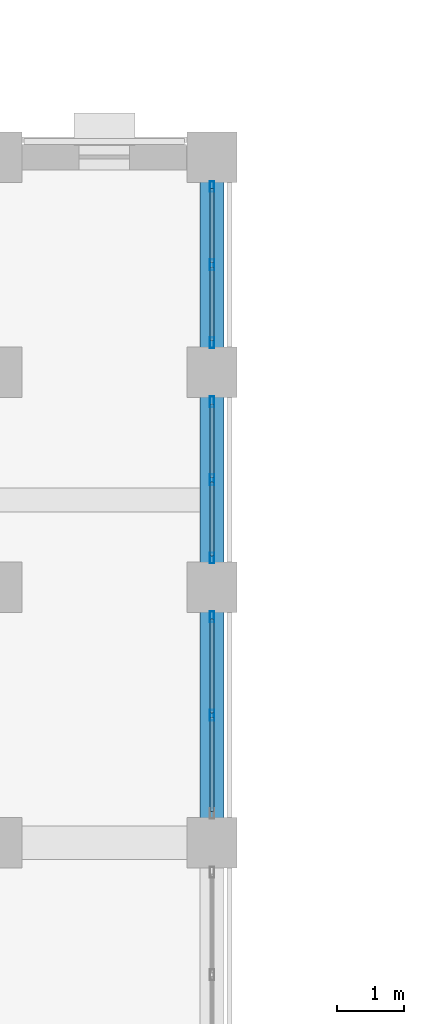
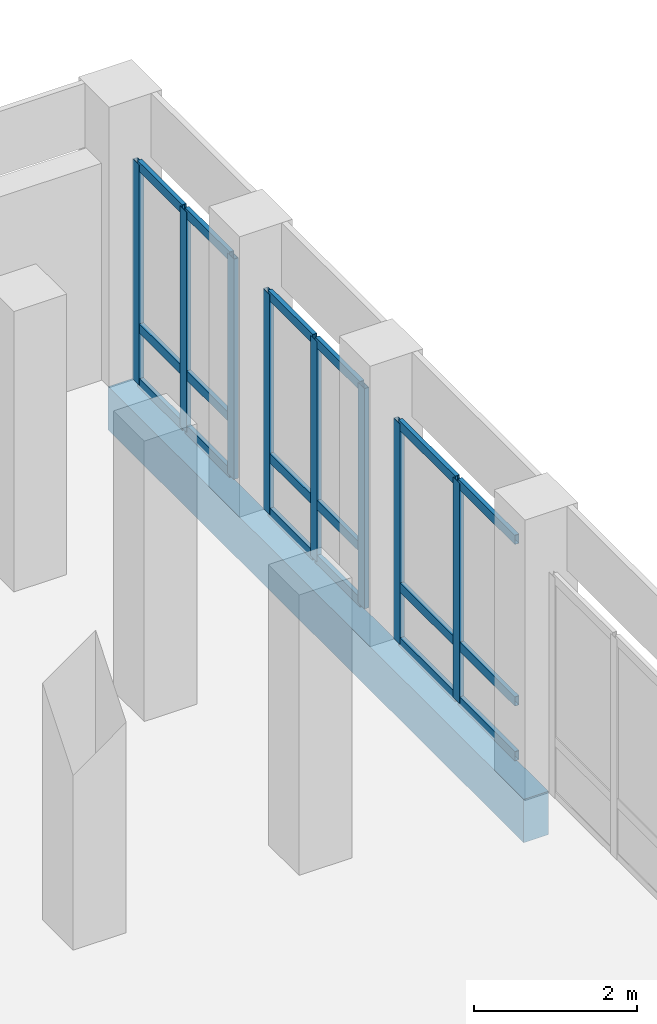
# One storey, part 26 of 170: 26 members, 1 beam, 3 elements without a shape of their own.
"""IFC4 building model written with IfcOpenShell, lengths in metres."""

from ifc_helpers import new_model, si_unit, direction, frame, origin, origin_2d, place, context, subcontext, project, spatial, rectangle, hollow_rectangle, extrude, material, material_profile, profile_set, type_object, element, aggregate, save


model = new_model("IFC4")

# Units and contexts
model_context = context("Model", 3, precision=1e-05, world=origin(), true_north=direction((0.0, 1.0)))
body_context = subcontext(model_context, "Body", "Model", "MODEL_VIEW")
ifc_project = project(units=[si_unit("LENGTHUNIT", "METRE"), si_unit("AREAUNIT", "SQUARE_METRE"), si_unit("VOLUMEUNIT", "CUBIC_METRE"), si_unit("PLANEANGLEUNIT", "RADIAN"), si_unit("MASSUNIT", "GRAM", prefix="KILO")], contexts=[model_context])

# Site, building, storey
site_placement = place(None, origin())
site = spatial("IfcSite", under=ifc_project, at=site_placement, CompositionType="ELEMENT")
building_placement = place(site_placement, origin())
building = spatial("IfcBuilding", under=site, at=building_placement, Name="Vondelvale Polytechnic", CompositionType="ELEMENT")
storey_placement = place(building_placement, frame((0.0, 0.0, 5.39990234375)))
storey = spatial("IfcBuildingStorey", under=building, at=storey_placement, Name="L01", CompositionType="ELEMENT", Elevation=5.39990234375)

# Curtain wall, members
ifc_material_1 = material(Name="Anodised extruded aluminium 6063-T6", Category="aluminium")
curtain_wall_type = type_object("IfcCurtainWallType", Name="CW-STUDIO-NORTH", PredefinedType="NOTDEFINED", material=ifc_material_1)
curtain_wall_1_placement = place(storey_placement, origin())
curtain_wall_1 = element("IfcCurtainWall", 1, at=curtain_wall_1_placement, inside=storey, type_object=curtain_wall_type, Name="L01 architectural curtain wall CW-01-010", PredefinedType="NOTDEFINED")
ifc_material_profile_1 = material_profile(ifc_material_1, hollow_rectangle(XDim=0.06494140625, YDim=0.159912109375, WallThickness=0.0048828125, at=origin_2d()), Name="CW-MUL-160x65")
ifc_profile_set_1 = profile_set([ifc_material_profile_1], Name="Anodised extruded aluminium 6063-T6")
member_type_1 = type_object("IfcMemberType", Name="CW-MUL-65x160", PredefinedType="MULLION", material=ifc_profile_set_1)
member_1_placement = place(storey_placement, frame((48.0, 32.5, 0.0), z_axis=(0.0, 0.0, 1.0), x_axis=(-1.0, 0.0, 0.0)))
member_1 = element("IfcMember", 2, at=member_1_placement, type_object=member_type_1, Name="CW-01-010 mullion 2", PredefinedType="MULLION", context=body_context, shape_type="SweptSolid", body=[
    extrude(hollow_rectangle(XDim=0.06494140625, YDim=0.159912109375, WallThickness=0.0048828125, at=origin_2d()), origin(), (0.0, 0.0, 1.0), 3.300048828125),
])
member_2_placement = place(storey_placement, frame((48.0, 33.96240234375, 0.0), z_axis=(0.0, 0.0, 1.0), x_axis=(-1.0, 0.0, 0.0)))
member_2 = element("IfcMember", 3, at=member_2_placement, type_object=member_type_1, Name="CW-01-010 mullion 3", PredefinedType="MULLION", context=body_context, shape_type="SweptSolid", body=[
    extrude(hollow_rectangle(XDim=0.06494140625, YDim=0.159912109375, WallThickness=0.0048828125, at=origin_2d()), origin(), (0.0, 0.0, 1.0), 3.300048828125),
])

curtain_wall_2_placement = place(storey_placement, origin())
curtain_wall_2 = element("IfcCurtainWall", 4, at=curtain_wall_2_placement, inside=storey, type_object=curtain_wall_type, Name="L01 architectural curtain wall CW-01-011", PredefinedType="NOTDEFINED")
member_3_placement = place(storey_placement, frame((48.0, 34.83740234375, 0.0), z_axis=(0.0, 0.0, 1.0), x_axis=(-1.0, 0.0, 0.0)))
member_3 = element("IfcMember", 5, at=member_3_placement, type_object=member_type_1, Name="CW-01-011 mullion 1", PredefinedType="MULLION", context=body_context, shape_type="SweptSolid", body=[
    extrude(hollow_rectangle(XDim=0.06494140625, YDim=0.159912109375, WallThickness=0.0048828125, at=origin_2d()), origin(), (0.0, 0.0, 1.0), 3.300048828125),
])
member_4_placement = place(storey_placement, frame((48.0, 36.0, 0.0), z_axis=(0.0, 0.0, 1.0), x_axis=(-1.0, 0.0, 0.0)))
member_4 = element("IfcMember", 6, at=member_4_placement, type_object=member_type_1, Name="CW-01-011 mullion 2", PredefinedType="MULLION", context=body_context, shape_type="SweptSolid", body=[
    extrude(hollow_rectangle(XDim=0.06494140625, YDim=0.159912109375, WallThickness=0.0048828125, at=origin_2d()), origin(), (0.0, 0.0, 1.0), 3.300048828125),
])
member_5_placement = place(storey_placement, frame((48.0, 37.16259765625, 0.0), z_axis=(0.0, 0.0, 1.0), x_axis=(-1.0, 0.0, 0.0)))
member_5 = element("IfcMember", 7, at=member_5_placement, type_object=member_type_1, Name="CW-01-011 mullion 3", PredefinedType="MULLION", context=body_context, shape_type="SweptSolid", body=[
    extrude(hollow_rectangle(XDim=0.06494140625, YDim=0.159912109375, WallThickness=0.0048828125, at=origin_2d()), origin(), (0.0, 0.0, 1.0), 3.300048828125),
])

curtain_wall_3_placement = place(storey_placement, origin())
curtain_wall_3 = element("IfcCurtainWall", 8, at=curtain_wall_3_placement, inside=storey, type_object=curtain_wall_type, Name="L01 architectural curtain wall CW-01-012", PredefinedType="NOTDEFINED")
member_6_placement = place(storey_placement, frame((48.0, 38.03759765625, 0.0), z_axis=(0.0, 0.0, 1.0), x_axis=(-1.0, 0.0, 0.0)))
member_6 = element("IfcMember", 9, at=member_6_placement, type_object=member_type_1, Name="CW-01-012 mullion 1", PredefinedType="MULLION", context=body_context, shape_type="SweptSolid", body=[
    extrude(hollow_rectangle(XDim=0.06494140625, YDim=0.159912109375, WallThickness=0.0048828125, at=origin_2d()), origin(), (0.0, 0.0, 1.0), 3.300048828125),
])
member_7_placement = place(storey_placement, frame((48.0, 39.199951171875, 0.0), z_axis=(0.0, 0.0, 1.0), x_axis=(-1.0, 0.0, 0.0)))
member_7 = element("IfcMember", 10, at=member_7_placement, type_object=member_type_1, Name="CW-01-012 mullion 2", PredefinedType="MULLION", context=body_context, shape_type="SweptSolid", body=[
    extrude(hollow_rectangle(XDim=0.06494140625, YDim=0.159912109375, WallThickness=0.0048828125, at=origin_2d()), origin(), (0.0, 0.0, 1.0), 3.300048828125),
])
member_8_placement = place(storey_placement, frame((48.0, 40.362548828125, 0.0), z_axis=(0.0, 0.0, 1.0), x_axis=(-1.0, 0.0, 0.0)))
member_8 = element("IfcMember", 11, at=member_8_placement, type_object=member_type_1, Name="CW-01-012 mullion 3", PredefinedType="MULLION", context=body_context, shape_type="SweptSolid", body=[
    extrude(hollow_rectangle(XDim=0.06494140625, YDim=0.159912109375, WallThickness=0.0048828125, at=origin_2d()), origin(), (0.0, 0.0, 1.0), 3.300048828125),
])

# Member
ifc_material_profile_2 = material_profile(ifc_material_1, hollow_rectangle(XDim=0.06005859375, YDim=0.139892578125, WallThickness=0.00341796875, at=origin_2d()), Name="CW-TRN-140x60")
ifc_profile_set_2 = profile_set([ifc_material_profile_2], Name="Anodised extruded aluminium 6063-T6")
member_type_2 = type_object("IfcMemberType", Name="CW-TRN-60x140", PredefinedType="USERDEFINED", material=ifc_profile_set_2)
member_9_placement = place(storey_placement, frame((48.0, 31.070068359375, 0.030029296875), z_axis=(0.0, 1.0, 0.0), x_axis=(-1.0, 0.0, 0.0)))
member_9 = element("IfcMember", 12, at=member_9_placement, type_object=member_type_2, Name="CW-01-010 transom 1.1", ObjectType="TRANSOM", PredefinedType="USERDEFINED", context=body_context, shape_type="SweptSolid", body=[
    extrude(hollow_rectangle(XDim=0.06005859375, YDim=0.139892578125, WallThickness=0.00341796875, at=origin_2d()), origin(), (0.0, 0.0, 1.0), 1.3974609375),
])

member_10_placement = place(storey_placement, frame((48.0, 31.070068359375, 0.85009765625), z_axis=(0.0, 1.0, 0.0), x_axis=(-1.0, 0.0, 0.0)))
member_10 = element("IfcMember", 13, at=member_10_placement, type_object=member_type_2, Name="CW-01-010 transom 1.2", ObjectType="TRANSOM", PredefinedType="USERDEFINED", context=body_context, shape_type="SweptSolid", body=[
    extrude(hollow_rectangle(XDim=0.06005859375, YDim=0.139892578125, WallThickness=0.00341796875, at=origin_2d()), origin(), (0.0, 0.0, 1.0), 1.3974609375),
])

member_11_placement = place(storey_placement, frame((48.0, 31.070068359375, 3.27001953125), z_axis=(0.0, 1.0, 0.0), x_axis=(-1.0, 0.0, 0.0)))
member_11 = element("IfcMember", 14, at=member_11_placement, type_object=member_type_2, Name="CW-01-010 transom 1.3", ObjectType="TRANSOM", PredefinedType="USERDEFINED", context=body_context, shape_type="SweptSolid", body=[
    extrude(hollow_rectangle(XDim=0.06005859375, YDim=0.139892578125, WallThickness=0.00341796875, at=origin_2d()), origin(), (0.0, 0.0, 1.0), 1.3974609375),
])

member_12_placement = place(storey_placement, frame((48.0, 32.532470703125, 0.030029296875), z_axis=(0.0, 1.0, 0.0), x_axis=(-1.0, 0.0, 0.0)))
member_12 = element("IfcMember", 15, at=member_12_placement, type_object=member_type_2, Name="CW-01-010 transom 2.1", ObjectType="TRANSOM", PredefinedType="USERDEFINED", context=body_context, shape_type="SweptSolid", body=[
    extrude(hollow_rectangle(XDim=0.06005859375, YDim=0.139892578125, WallThickness=0.00341796875, at=origin_2d()), origin(), (0.0, 0.0, 1.0), 1.3974609375),
])

member_13_placement = place(storey_placement, frame((48.0, 32.532470703125, 0.85009765625), z_axis=(0.0, 1.0, 0.0), x_axis=(-1.0, 0.0, 0.0)))
member_13 = element("IfcMember", 16, at=member_13_placement, type_object=member_type_2, Name="CW-01-010 transom 2.2", ObjectType="TRANSOM", PredefinedType="USERDEFINED", context=body_context, shape_type="SweptSolid", body=[
    extrude(hollow_rectangle(XDim=0.06005859375, YDim=0.139892578125, WallThickness=0.00341796875, at=origin_2d()), origin(), (0.0, 0.0, 1.0), 1.3974609375),
])

member_14_placement = place(storey_placement, frame((48.0, 32.532470703125, 3.27001953125), z_axis=(0.0, 1.0, 0.0), x_axis=(-1.0, 0.0, 0.0)))
member_14 = element("IfcMember", 17, at=member_14_placement, type_object=member_type_2, Name="CW-01-010 transom 2.3", ObjectType="TRANSOM", PredefinedType="USERDEFINED", context=body_context, shape_type="SweptSolid", body=[
    extrude(hollow_rectangle(XDim=0.06005859375, YDim=0.139892578125, WallThickness=0.00341796875, at=origin_2d()), origin(), (0.0, 0.0, 1.0), 1.3974609375),
])

aggregate(curtain_wall_1, [member_1, member_2, member_9, member_10, member_11, member_12, member_13, member_14])

member_15_placement = place(storey_placement, frame((48.0, 34.8701171875, 0.030029296875), z_axis=(0.0, 1.0, 0.0), x_axis=(-1.0, 0.0, 0.0)))
member_15 = element("IfcMember", 18, at=member_15_placement, type_object=member_type_2, Name="CW-01-011 transom 1.1", ObjectType="TRANSOM", PredefinedType="USERDEFINED", context=body_context, shape_type="SweptSolid", body=[
    extrude(hollow_rectangle(XDim=0.06005859375, YDim=0.139892578125, WallThickness=0.00341796875, at=origin_2d()), origin(), (0.0, 0.0, 1.0), 1.097412109375),
])

member_16_placement = place(storey_placement, frame((48.0, 34.8701171875, 0.85009765625), z_axis=(0.0, 1.0, 0.0), x_axis=(-1.0, 0.0, 0.0)))
member_16 = element("IfcMember", 19, at=member_16_placement, type_object=member_type_2, Name="CW-01-011 transom 1.2", ObjectType="TRANSOM", PredefinedType="USERDEFINED", context=body_context, shape_type="SweptSolid", body=[
    extrude(hollow_rectangle(XDim=0.06005859375, YDim=0.139892578125, WallThickness=0.00341796875, at=origin_2d()), origin(), (0.0, 0.0, 1.0), 1.097412109375),
])

member_17_placement = place(storey_placement, frame((48.0, 34.8701171875, 3.27001953125), z_axis=(0.0, 1.0, 0.0), x_axis=(-1.0, 0.0, 0.0)))
member_17 = element("IfcMember", 20, at=member_17_placement, type_object=member_type_2, Name="CW-01-011 transom 1.3", ObjectType="TRANSOM", PredefinedType="USERDEFINED", context=body_context, shape_type="SweptSolid", body=[
    extrude(hollow_rectangle(XDim=0.06005859375, YDim=0.139892578125, WallThickness=0.00341796875, at=origin_2d()), origin(), (0.0, 0.0, 1.0), 1.097412109375),
])

member_18_placement = place(storey_placement, frame((48.0, 36.032470703125, 0.030029296875), z_axis=(0.0, 1.0, 0.0), x_axis=(-1.0, 0.0, 0.0)))
member_18 = element("IfcMember", 21, at=member_18_placement, type_object=member_type_2, Name="CW-01-011 transom 2.1", ObjectType="TRANSOM", PredefinedType="USERDEFINED", context=body_context, shape_type="SweptSolid", body=[
    extrude(hollow_rectangle(XDim=0.06005859375, YDim=0.139892578125, WallThickness=0.00341796875, at=origin_2d()), origin(), (0.0, 0.0, 1.0), 1.097412109375),
])

member_19_placement = place(storey_placement, frame((48.0, 36.032470703125, 0.85009765625), z_axis=(0.0, 1.0, 0.0), x_axis=(-1.0, 0.0, 0.0)))
member_19 = element("IfcMember", 22, at=member_19_placement, type_object=member_type_2, Name="CW-01-011 transom 2.2", ObjectType="TRANSOM", PredefinedType="USERDEFINED", context=body_context, shape_type="SweptSolid", body=[
    extrude(hollow_rectangle(XDim=0.06005859375, YDim=0.139892578125, WallThickness=0.00341796875, at=origin_2d()), origin(), (0.0, 0.0, 1.0), 1.097412109375),
])

member_20_placement = place(storey_placement, frame((48.0, 36.032470703125, 3.27001953125), z_axis=(0.0, 1.0, 0.0), x_axis=(-1.0, 0.0, 0.0)))
member_20 = element("IfcMember", 23, at=member_20_placement, type_object=member_type_2, Name="CW-01-011 transom 2.3", ObjectType="TRANSOM", PredefinedType="USERDEFINED", context=body_context, shape_type="SweptSolid", body=[
    extrude(hollow_rectangle(XDim=0.06005859375, YDim=0.139892578125, WallThickness=0.00341796875, at=origin_2d()), origin(), (0.0, 0.0, 1.0), 1.097412109375),
])

aggregate(curtain_wall_2, [member_3, member_4, member_5, member_15, member_16, member_17, member_18, member_19, member_20])

member_21_placement = place(storey_placement, frame((48.0, 38.070068359375, 0.030029296875), z_axis=(0.0, 1.0, 0.0), x_axis=(-1.0, 0.0, 0.0)))
member_21 = element("IfcMember", 24, at=member_21_placement, type_object=member_type_2, Name="CW-01-012 transom 1.1", ObjectType="TRANSOM", PredefinedType="USERDEFINED", context=body_context, shape_type="SweptSolid", body=[
    extrude(hollow_rectangle(XDim=0.06005859375, YDim=0.139892578125, WallThickness=0.00341796875, at=origin_2d()), origin(), (0.0, 0.0, 1.0), 1.097412109375),
])

member_22_placement = place(storey_placement, frame((48.0, 38.070068359375, 0.85009765625), z_axis=(0.0, 1.0, 0.0), x_axis=(-1.0, 0.0, 0.0)))
member_22 = element("IfcMember", 25, at=member_22_placement, type_object=member_type_2, Name="CW-01-012 transom 1.2", ObjectType="TRANSOM", PredefinedType="USERDEFINED", context=body_context, shape_type="SweptSolid", body=[
    extrude(hollow_rectangle(XDim=0.06005859375, YDim=0.139892578125, WallThickness=0.00341796875, at=origin_2d()), origin(), (0.0, 0.0, 1.0), 1.097412109375),
])

member_23_placement = place(storey_placement, frame((48.0, 38.070068359375, 3.27001953125), z_axis=(0.0, 1.0, 0.0), x_axis=(-1.0, 0.0, 0.0)))
member_23 = element("IfcMember", 26, at=member_23_placement, type_object=member_type_2, Name="CW-01-012 transom 1.3", ObjectType="TRANSOM", PredefinedType="USERDEFINED", context=body_context, shape_type="SweptSolid", body=[
    extrude(hollow_rectangle(XDim=0.06005859375, YDim=0.139892578125, WallThickness=0.00341796875, at=origin_2d()), origin(), (0.0, 0.0, 1.0), 1.097412109375),
])

member_24_placement = place(storey_placement, frame((48.0, 39.232421875, 0.030029296875), z_axis=(0.0, 1.0, 0.0), x_axis=(-1.0, 0.0, 0.0)))
member_24 = element("IfcMember", 27, at=member_24_placement, type_object=member_type_2, Name="CW-01-012 transom 2.1", ObjectType="TRANSOM", PredefinedType="USERDEFINED", context=body_context, shape_type="SweptSolid", body=[
    extrude(hollow_rectangle(XDim=0.06005859375, YDim=0.139892578125, WallThickness=0.00341796875, at=origin_2d()), origin(), (0.0, 0.0, 1.0), 1.09765625),
])

member_25_placement = place(storey_placement, frame((48.0, 39.232421875, 0.85009765625), z_axis=(0.0, 1.0, 0.0), x_axis=(-1.0, 0.0, 0.0)))
member_25 = element("IfcMember", 28, at=member_25_placement, type_object=member_type_2, Name="CW-01-012 transom 2.2", ObjectType="TRANSOM", PredefinedType="USERDEFINED", context=body_context, shape_type="SweptSolid", body=[
    extrude(hollow_rectangle(XDim=0.06005859375, YDim=0.139892578125, WallThickness=0.00341796875, at=origin_2d()), origin(), (0.0, 0.0, 1.0), 1.09765625),
])

member_26_placement = place(storey_placement, frame((48.0, 39.232421875, 3.27001953125), z_axis=(0.0, 1.0, 0.0), x_axis=(-1.0, 0.0, 0.0)))
member_26 = element("IfcMember", 29, at=member_26_placement, type_object=member_type_2, Name="CW-01-012 transom 2.3", ObjectType="TRANSOM", PredefinedType="USERDEFINED", context=body_context, shape_type="SweptSolid", body=[
    extrude(hollow_rectangle(XDim=0.06005859375, YDim=0.139892578125, WallThickness=0.00341796875, at=origin_2d()), origin(), (0.0, 0.0, 1.0), 1.09765625),
])

aggregate(curtain_wall_3, [member_6, member_7, member_8, member_21, member_22, member_23, member_24, member_25, member_26])

# Beam
ifc_material_2 = material(Name="Precast concrete N40 (f'c = 40 MPa)", Category="concrete")
ifc_material_profile_3 = material_profile(ifc_material_2, rectangle(XDim=0.35009765625, YDim=0.64990234375, at=origin_2d()), Name="RC-SPN-350x650")
ifc_profile_set_3 = profile_set([ifc_material_profile_3], Name="Precast concrete N40 (f'c = 40 MPa)")
beam_type = type_object("IfcBeamType", Name="SPN-PRE350x650", PredefinedType="SPANDREL", material=ifc_profile_set_3)
beam_placement = place(storey_placement, frame((48.0, 30.60009765625, -0.60498046875), z_axis=(0.0, 1.0, 0.0), x_axis=(-1.0, 0.0, 0.0)))
element("IfcBeam", 30, at=beam_placement, inside=storey, type_object=beam_type, Name="L01 B SP-02", PredefinedType="SPANDREL", context=body_context, shape_type="SweptSolid", body=[
    extrude(rectangle(XDim=0.35009765625, YDim=0.64990234375, at=origin_2d()), origin(), (0.0, 0.0, 1.0), 10.199951171875),
])

save(model, "model.ifc")
